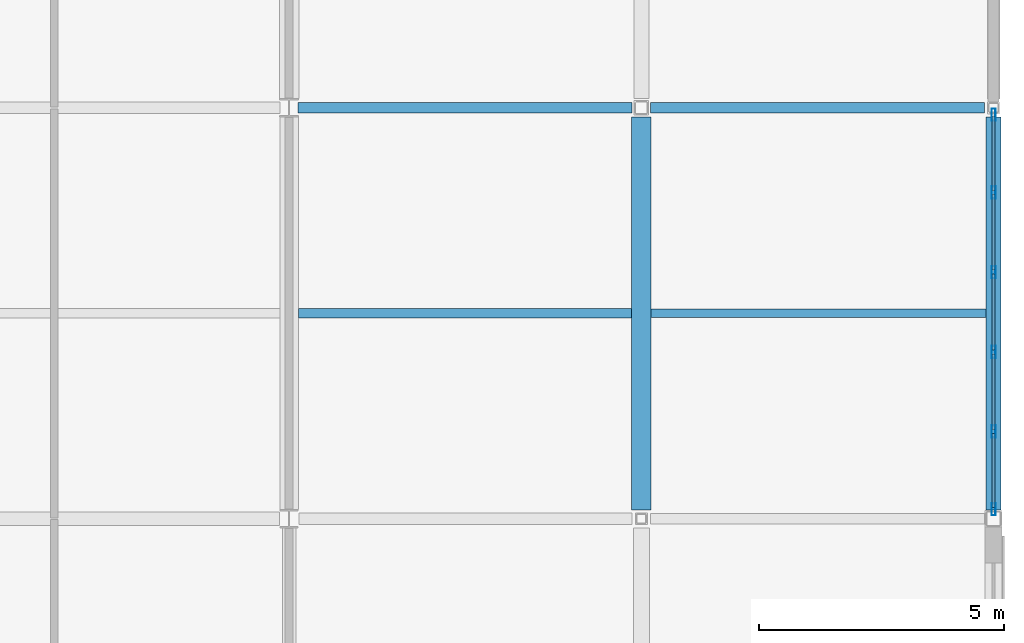
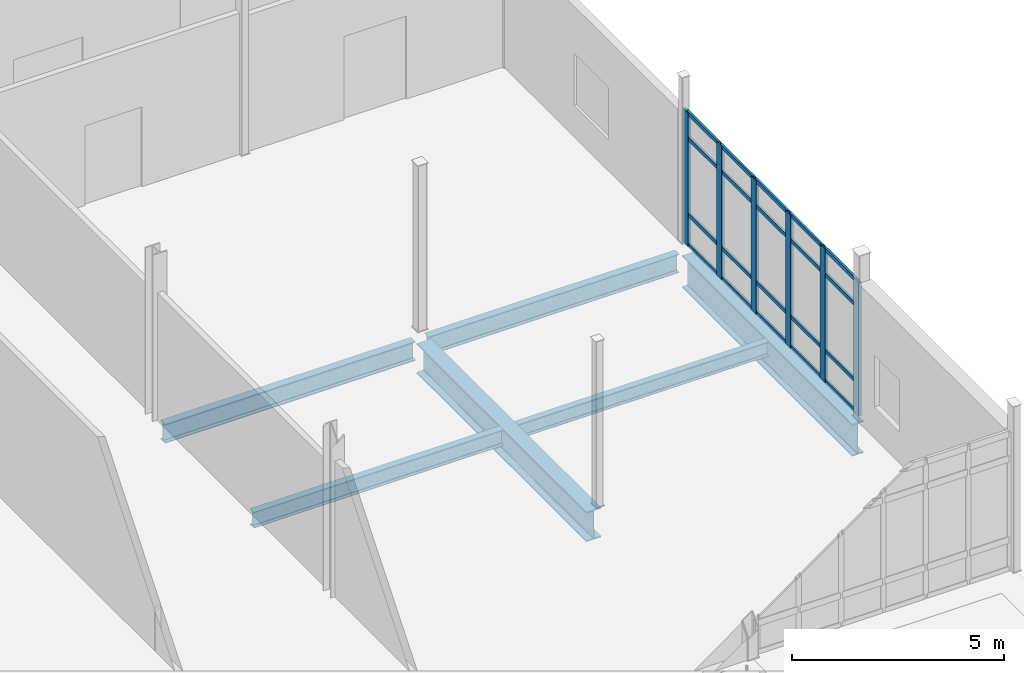
# One storey, part 81 of 153: 26 members, 6 beams, 1 element without a shape of its own.
"""IFC4 building model written with IfcOpenShell, lengths in metres."""

from ifc_helpers import new_model, si_unit, direction, frame, origin, origin_2d, place, context, subcontext, project, spatial, hollow_rectangle, i_section, extrude, material, layer, layer_set, material_profile, profile_set, type_object, element, aggregate, save


model = new_model("IFC4")

# Units and contexts
model_context = context("Model", 3, precision=1e-05, world=origin(), true_north=direction((0.0, 1.0)))
body_context = subcontext(model_context, "Body", "Model", "MODEL_VIEW")
ifc_project = project(units=[si_unit("LENGTHUNIT", "METRE"), si_unit("AREAUNIT", "SQUARE_METRE"), si_unit("VOLUMEUNIT", "CUBIC_METRE"), si_unit("PLANEANGLEUNIT", "RADIAN"), si_unit("MASSUNIT", "GRAM", prefix="KILO")], contexts=[model_context])

# Site, building, storey
site_placement = place(None, origin())
site = spatial("IfcSite", under=ifc_project, at=site_placement, CompositionType="ELEMENT")
building_placement = place(site_placement, origin())
building = spatial("IfcBuilding", under=site, at=building_placement, Name="Calvrana Isthmian Art Gallery", CompositionType="ELEMENT")
storey_placement = place(building_placement, frame((0.0, 0.0, 10.199951171875)))
storey = spatial("IfcBuildingStorey", under=building, at=storey_placement, Name="L02", CompositionType="ELEMENT", Elevation=10.199951171875)

# Beams
ifc_material_1 = material(Name="Steel ASTM A992 Gr 50", Category="steel")
ifc_material_profile_1 = material_profile(ifc_material_1, i_section(OverallWidth=0.208984375, OverallDepth=0.532958984375, WebThickness=0.01025390625, FlangeThickness=0.015625, FilletRadius=0.02099609375, at=origin_2d()), Name="W21X62")
ifc_profile_set_1 = profile_set([ifc_material_profile_1], Name="Steel ASTM A992 Gr 50")
beam_type_1 = type_object("IfcBeamType", Name="BM-G-W21X62", PredefinedType="BEAM", material=ifc_profile_set_1)
beam_1_placement = place(storey_placement, frame((148.986572265625, 30.0, -0.531494140625), z_axis=(1.0, 0.0, 0.0), x_axis=(0.0, 1.0, 0.0)))
element("IfcBeam", 1, at=beam_1_placement, inside=storey, type_object=beam_type_1, Name="Girder X L02 20-21/E", PredefinedType="BEAM", context=body_context, shape_type="SweptSolid", body=[
    extrude(i_section(OverallWidth=0.208984375, OverallDepth=0.532958984375, WebThickness=0.01025390625, FlangeThickness=0.015625, FilletRadius=0.02099609375, at=origin_2d()), origin(), (0.0, 0.0, 1.0), 6.826904296875),
])
ifc_material_profile_2 = material_profile(ifc_material_1, i_section(OverallWidth=0.214111328125, OverallDepth=0.549072265625, WebThickness=0.0146484375, FlangeThickness=0.023681640625, FilletRadius=0.02099609375, at=origin_2d()), Name="W21X93")
ifc_profile_set_2 = profile_set([ifc_material_profile_2], Name="Steel ASTM A992 Gr 50")
beam_type_2 = type_object("IfcBeamType", Name="BM-G-W21X93", PredefinedType="BEAM", material=ifc_profile_set_2)
beam_2_placement = place(storey_placement, frame((141.78662109375, 30.0, -0.53955078125), z_axis=(1.0, 0.0, 0.0), x_axis=(0.0, 1.0, 0.0)))
element("IfcBeam", 2, at=beam_2_placement, inside=storey, type_object=beam_type_2, Name="Girder X L02 19-20/E", PredefinedType="BEAM", context=body_context, shape_type="SweptSolid", body=[
    extrude(i_section(OverallWidth=0.214111328125, OverallDepth=0.549072265625, WebThickness=0.0146484375, FlangeThickness=0.023681640625, FilletRadius=0.02099609375, at=origin_2d()), origin(), (0.0, 0.0, 1.0), 6.826904296875),
])
ifc_material_profile_3 = material_profile(ifc_material_1, i_section(OverallWidth=0.40087890625, OverallDepth=0.85595703125, WebThickness=0.018310546875, FlangeThickness=0.029296875, FilletRadius=0.02587890625, at=origin_2d()), Name="W33X201")
ifc_profile_set_3 = profile_set([ifc_material_profile_3], Name="Steel ASTM A992 Gr 50")
beam_type_3 = type_object("IfcBeamType", Name="BM-G-W33X201", PredefinedType="BEAM", material=ifc_profile_set_3)
beam_3_placement = place(storey_placement, frame((148.800048828125, 21.783935546875, -0.69287109375), z_axis=(0.0, 1.0, 0.0), x_axis=(-1.0, 0.0, 0.0)))
element("IfcBeam", 3, at=beam_3_placement, inside=storey, type_object=beam_type_3, Name="Girder Y L02 20/D-E", PredefinedType="BEAM", context=body_context, shape_type="SweptSolid", body=[
    extrude(i_section(OverallWidth=0.40087890625, OverallDepth=0.85595703125, WebThickness=0.018310546875, FlangeThickness=0.029296875, FilletRadius=0.02587890625, at=origin_2d()), origin(), (0.0, 0.0, 1.0), 8.029541015625),
])
ifc_material_profile_4 = material_profile(ifc_material_1, i_section(OverallWidth=0.306884765625, OverallDepth=0.927001953125, WebThickness=0.019287109375, FlangeThickness=0.031982421875, FilletRadius=0.028076171875, at=origin_2d()), Name="W36X194")
ifc_profile_set_4 = profile_set([ifc_material_profile_4], Name="Steel ASTM A992 Gr 50")
beam_type_4 = type_object("IfcBeamType", Name="BM-G-W36X194", PredefinedType="BEAM", material=ifc_profile_set_4)
beam_4_placement = place(storey_placement, frame((156.0, 21.781494140625, -0.728515625), z_axis=(0.0, 1.0, 0.0), x_axis=(-1.0, 0.0, 0.0)))
element("IfcBeam", 4, at=beam_4_placement, inside=storey, type_object=beam_type_4, Name="Girder Y L02 21/D-E", PredefinedType="BEAM", context=body_context, shape_type="SweptSolid", body=[
    extrude(i_section(OverallWidth=0.306884765625, OverallDepth=0.927001953125, WebThickness=0.019287109375, FlangeThickness=0.031982421875, FilletRadius=0.028076171875, at=origin_2d()), origin(), (0.0, 0.0, 1.0), 8.034423828125),
])
ifc_material_profile_5 = material_profile(ifc_material_1, i_section(OverallWidth=0.179931640625, OverallDepth=0.4140625, WebThickness=0.009765625, FlangeThickness=0.01611328125, FilletRadius=0.01806640625, at=origin_2d()), Name="W16X50")
ifc_profile_set_5 = profile_set([ifc_material_profile_5], Name="Steel ASTM A992 Gr 50")
beam_type_5 = type_object("IfcBeamType", Name="BM-J-W16X50", PredefinedType="JOIST", material=ifc_profile_set_5)
beam_5_placement = place(storey_placement, frame((149.00048828125, 25.800048828125, -0.471923828125), z_axis=(1.0, 0.0, 0.0), x_axis=(0.0, 1.0, 0.0)))
element("IfcBeam", 5, at=beam_5_placement, inside=storey, type_object=beam_type_5, Name="Composite joist L02 bay 19-03", PredefinedType="JOIST", context=body_context, shape_type="SweptSolid", body=[
    extrude(i_section(OverallWidth=0.179931640625, OverallDepth=0.4140625, WebThickness=0.009765625, FlangeThickness=0.01611328125, FilletRadius=0.01806640625, at=origin_2d()), origin(), (0.0, 0.0, 1.0), 6.845947265625),
])
ifc_material_profile_6 = material_profile(ifc_material_1, i_section(OverallWidth=0.19091796875, OverallDepth=0.45703125, WebThickness=0.009033203125, FlangeThickness=0.014404296875, FilletRadius=0.02001953125, at=origin_2d()), Name="W18X50")
ifc_profile_set_6 = profile_set([ifc_material_profile_6], Name="Steel ASTM A992 Gr 50")
beam_type_6 = type_object("IfcBeamType", Name="BM-J-W18X50", PredefinedType="JOIST", material=ifc_profile_set_6)
beam_6_placement = place(storey_placement, frame((141.79052734375, 25.800048828125, -0.493408203125), z_axis=(1.0, 0.0, 0.0), x_axis=(0.0, 1.0, 0.0)))
element("IfcBeam", 6, at=beam_6_placement, inside=storey, type_object=beam_type_6, Name="Composite joist L02 bay 18-03", PredefinedType="JOIST", context=body_context, shape_type="SweptSolid", body=[
    extrude(i_section(OverallWidth=0.19091796875, OverallDepth=0.45703125, WebThickness=0.009033203125, FlangeThickness=0.014404296875, FilletRadius=0.02001953125, at=origin_2d()), origin(), (0.0, 0.0, 1.0), 6.80908203125),
])

# Curtain wall, members
ifc_material_2 = material(Name="Anodized bronze aluminium 6063-T6", Category="aluminium")
ifc_layer = layer(ifc_material_2, 0.179931640625, Name="Anodized bronze aluminium 6063-T6")
ifc_layer_set = layer_set([ifc_layer], Name="Anodized bronze aluminium 6063-T6")
curtain_wall_type = type_object("IfcCurtainWallType", Name="CW-STICK-081X38", PredefinedType="NOTDEFINED", material=ifc_layer_set)
curtain_wall_placement = place(storey_placement, origin())
curtain_wall = element("IfcCurtainWall", 7, at=curtain_wall_placement, inside=storey, type_object=curtain_wall_type, Name="Curtain wall CW-185", PredefinedType="NOTDEFINED")
ifc_material_profile_7 = material_profile(ifc_material_2, hollow_rectangle(XDim=0.080078125, YDim=0.25, WallThickness=0.005615234375, at=origin_2d()), Name="CWM80X250")
ifc_profile_set_7 = profile_set([ifc_material_profile_7], Name="Anodized bronze aluminium 6063-T6")
member_type_1 = type_object("IfcMemberType", Name="CWM-CWM80X250", PredefinedType="MULLION", material=ifc_profile_set_7)
member_1_placement = place(storey_placement, frame((156.0, 29.8583984375, 0.0), z_axis=(0.0, 0.0, 1.0), x_axis=(1.0, 0.0, 0.0)))
member_1 = element("IfcMember", 8, at=member_1_placement, type_object=member_type_1, Name="CW-185 mullion 1", PredefinedType="MULLION", context=body_context, shape_type="SweptSolid", body=[
    extrude(hollow_rectangle(XDim=0.080078125, YDim=0.25, WallThickness=0.005615234375, at=origin_2d()), origin(), (0.0, 0.0, 1.0), 3.84716796875),
])
member_2_placement = place(storey_placement, frame((156.0, 28.269287109375, 0.0), z_axis=(0.0, 0.0, 1.0), x_axis=(1.0, 0.0, 0.0)))
member_2 = element("IfcMember", 9, at=member_2_placement, type_object=member_type_1, Name="CW-185 mullion 2", PredefinedType="MULLION", context=body_context, shape_type="SweptSolid", body=[
    extrude(hollow_rectangle(XDim=0.080078125, YDim=0.25, WallThickness=0.005615234375, at=origin_2d()), origin(), (0.0, 0.0, 1.0), 3.84716796875),
])
member_3_placement = place(storey_placement, frame((156.0, 26.639892578125, 0.0), z_axis=(0.0, 0.0, 1.0), x_axis=(1.0, 0.0, 0.0)))
member_3 = element("IfcMember", 10, at=member_3_placement, type_object=member_type_1, Name="CW-185 mullion 3", PredefinedType="MULLION", context=body_context, shape_type="SweptSolid", body=[
    extrude(hollow_rectangle(XDim=0.080078125, YDim=0.25, WallThickness=0.005615234375, at=origin_2d()), origin(), (0.0, 0.0, 1.0), 3.84716796875),
])
member_4_placement = place(storey_placement, frame((156.0, 25.0107421875, 0.0), z_axis=(0.0, 0.0, 1.0), x_axis=(1.0, 0.0, 0.0)))
member_4 = element("IfcMember", 11, at=member_4_placement, type_object=member_type_1, Name="CW-185 mullion 4", PredefinedType="MULLION", context=body_context, shape_type="SweptSolid", body=[
    extrude(hollow_rectangle(XDim=0.080078125, YDim=0.25, WallThickness=0.005615234375, at=origin_2d()), origin(), (0.0, 0.0, 1.0), 3.84716796875),
])
member_5_placement = place(storey_placement, frame((156.0, 23.381591796875, 0.0), z_axis=(0.0, 0.0, 1.0), x_axis=(1.0, 0.0, 0.0)))
member_5 = element("IfcMember", 12, at=member_5_placement, type_object=member_type_1, Name="CW-185 mullion 5", PredefinedType="MULLION", context=body_context, shape_type="SweptSolid", body=[
    extrude(hollow_rectangle(XDim=0.080078125, YDim=0.25, WallThickness=0.005615234375, at=origin_2d()), origin(), (0.0, 0.0, 1.0), 3.84716796875),
])
member_6_placement = place(storey_placement, frame((156.0, 21.79248046875, 0.0), z_axis=(0.0, 0.0, 1.0), x_axis=(1.0, 0.0, 0.0)))
member_6 = element("IfcMember", 13, at=member_6_placement, type_object=member_type_1, Name="CW-185 mullion 6", PredefinedType="MULLION", context=body_context, shape_type="SweptSolid", body=[
    extrude(hollow_rectangle(XDim=0.080078125, YDim=0.25, WallThickness=0.005615234375, at=origin_2d()), origin(), (0.0, 0.0, 1.0), 3.84716796875),
])
ifc_material_profile_8 = material_profile(ifc_material_2, hollow_rectangle(XDim=0.06005859375, YDim=0.110107421875, WallThickness=0.00341796875, at=origin_2d()), Name="CWT60X110")
ifc_profile_set_8 = profile_set([ifc_material_profile_8], Name="Anodized bronze aluminium 6063-T6")
member_type_2 = type_object("IfcMemberType", Name="CWT-CWT60X110", PredefinedType="USERDEFINED", material=ifc_profile_set_8)
member_7_placement = place(storey_placement, frame((156.0, 29.818359375, 0.030029296875), z_axis=(0.0, -1.0, 0.0), x_axis=(1.0, 0.0, 0.0)))
member_7 = element("IfcMember", 14, at=member_7_placement, type_object=member_type_2, Name="CW-185 transom 1.1", ObjectType="TRANSOM", PredefinedType="USERDEFINED", context=body_context, shape_type="SweptSolid", body=[
    extrude(hollow_rectangle(XDim=0.06005859375, YDim=0.110107421875, WallThickness=0.00341796875, at=origin_2d()), origin(), (0.0, 0.0, 1.0), 1.50927734375),
])
member_8_placement = place(storey_placement, frame((156.0, 29.818359375, 0.900146484375), z_axis=(0.0, -1.0, 0.0), x_axis=(1.0, 0.0, 0.0)))
member_8 = element("IfcMember", 15, at=member_8_placement, type_object=member_type_2, Name="CW-185 transom 1.2", ObjectType="TRANSOM", PredefinedType="USERDEFINED", context=body_context, shape_type="SweptSolid", body=[
    extrude(hollow_rectangle(XDim=0.06005859375, YDim=0.110107421875, WallThickness=0.00341796875, at=origin_2d()), origin(), (0.0, 0.0, 1.0), 1.50927734375),
])
member_9_placement = place(storey_placement, frame((156.0, 29.818359375, 3.09716796875), z_axis=(0.0, -1.0, 0.0), x_axis=(1.0, 0.0, 0.0)))
member_9 = element("IfcMember", 16, at=member_9_placement, type_object=member_type_2, Name="CW-185 transom 1.3", ObjectType="TRANSOM", PredefinedType="USERDEFINED", context=body_context, shape_type="SweptSolid", body=[
    extrude(hollow_rectangle(XDim=0.06005859375, YDim=0.110107421875, WallThickness=0.00341796875, at=origin_2d()), origin(), (0.0, 0.0, 1.0), 1.50927734375),
])
member_10_placement = place(storey_placement, frame((156.0, 29.818359375, 3.817138671875), z_axis=(0.0, -1.0, 0.0), x_axis=(1.0, 0.0, 0.0)))
member_10 = element("IfcMember", 17, at=member_10_placement, type_object=member_type_2, Name="CW-185 transom 1.4", ObjectType="TRANSOM", PredefinedType="USERDEFINED", context=body_context, shape_type="SweptSolid", body=[
    extrude(hollow_rectangle(XDim=0.06005859375, YDim=0.110107421875, WallThickness=0.00341796875, at=origin_2d()), origin(), (0.0, 0.0, 1.0), 1.50927734375),
])
member_11_placement = place(storey_placement, frame((156.0, 28.229248046875, 0.030029296875), z_axis=(0.0, -1.0, 0.0), x_axis=(1.0, 0.0, 0.0)))
member_11 = element("IfcMember", 18, at=member_11_placement, type_object=member_type_2, Name="CW-185 transom 2.1", ObjectType="TRANSOM", PredefinedType="USERDEFINED", context=body_context, shape_type="SweptSolid", body=[
    extrude(hollow_rectangle(XDim=0.06005859375, YDim=0.110107421875, WallThickness=0.00341796875, at=origin_2d()), origin(), (0.0, 0.0, 1.0), 1.54931640625),
])
member_12_placement = place(storey_placement, frame((156.0, 28.229248046875, 0.900146484375), z_axis=(0.0, -1.0, 0.0), x_axis=(1.0, 0.0, 0.0)))
member_12 = element("IfcMember", 19, at=member_12_placement, type_object=member_type_2, Name="CW-185 transom 2.2", ObjectType="TRANSOM", PredefinedType="USERDEFINED", context=body_context, shape_type="SweptSolid", body=[
    extrude(hollow_rectangle(XDim=0.06005859375, YDim=0.110107421875, WallThickness=0.00341796875, at=origin_2d()), origin(), (0.0, 0.0, 1.0), 1.54931640625),
])
member_13_placement = place(storey_placement, frame((156.0, 28.229248046875, 3.09716796875), z_axis=(0.0, -1.0, 0.0), x_axis=(1.0, 0.0, 0.0)))
member_13 = element("IfcMember", 20, at=member_13_placement, type_object=member_type_2, Name="CW-185 transom 2.3", ObjectType="TRANSOM", PredefinedType="USERDEFINED", context=body_context, shape_type="SweptSolid", body=[
    extrude(hollow_rectangle(XDim=0.06005859375, YDim=0.110107421875, WallThickness=0.00341796875, at=origin_2d()), origin(), (0.0, 0.0, 1.0), 1.54931640625),
])
member_14_placement = place(storey_placement, frame((156.0, 28.229248046875, 3.817138671875), z_axis=(0.0, -1.0, 0.0), x_axis=(1.0, 0.0, 0.0)))
member_14 = element("IfcMember", 21, at=member_14_placement, type_object=member_type_2, Name="CW-185 transom 2.4", ObjectType="TRANSOM", PredefinedType="USERDEFINED", context=body_context, shape_type="SweptSolid", body=[
    extrude(hollow_rectangle(XDim=0.06005859375, YDim=0.110107421875, WallThickness=0.00341796875, at=origin_2d()), origin(), (0.0, 0.0, 1.0), 1.54931640625),
])
member_15_placement = place(storey_placement, frame((156.0, 26.60009765625, 0.030029296875), z_axis=(0.0, -1.0, 0.0), x_axis=(1.0, 0.0, 0.0)))
member_15 = element("IfcMember", 22, at=member_15_placement, type_object=member_type_2, Name="CW-185 transom 3.1", ObjectType="TRANSOM", PredefinedType="USERDEFINED", context=body_context, shape_type="SweptSolid", body=[
    extrude(hollow_rectangle(XDim=0.06005859375, YDim=0.110107421875, WallThickness=0.00341796875, at=origin_2d()), origin(), (0.0, 0.0, 1.0), 1.54931640625),
])
member_16_placement = place(storey_placement, frame((156.0, 26.60009765625, 0.900146484375), z_axis=(0.0, -1.0, 0.0), x_axis=(1.0, 0.0, 0.0)))
member_16 = element("IfcMember", 23, at=member_16_placement, type_object=member_type_2, Name="CW-185 transom 3.2", ObjectType="TRANSOM", PredefinedType="USERDEFINED", context=body_context, shape_type="SweptSolid", body=[
    extrude(hollow_rectangle(XDim=0.06005859375, YDim=0.110107421875, WallThickness=0.00341796875, at=origin_2d()), origin(), (0.0, 0.0, 1.0), 1.54931640625),
])
member_17_placement = place(storey_placement, frame((156.0, 26.60009765625, 3.09716796875), z_axis=(0.0, -1.0, 0.0), x_axis=(1.0, 0.0, 0.0)))
member_17 = element("IfcMember", 24, at=member_17_placement, type_object=member_type_2, Name="CW-185 transom 3.3", ObjectType="TRANSOM", PredefinedType="USERDEFINED", context=body_context, shape_type="SweptSolid", body=[
    extrude(hollow_rectangle(XDim=0.06005859375, YDim=0.110107421875, WallThickness=0.00341796875, at=origin_2d()), origin(), (0.0, 0.0, 1.0), 1.54931640625),
])
member_18_placement = place(storey_placement, frame((156.0, 26.60009765625, 3.817138671875), z_axis=(0.0, -1.0, 0.0), x_axis=(1.0, 0.0, 0.0)))
member_18 = element("IfcMember", 25, at=member_18_placement, type_object=member_type_2, Name="CW-185 transom 3.4", ObjectType="TRANSOM", PredefinedType="USERDEFINED", context=body_context, shape_type="SweptSolid", body=[
    extrude(hollow_rectangle(XDim=0.06005859375, YDim=0.110107421875, WallThickness=0.00341796875, at=origin_2d()), origin(), (0.0, 0.0, 1.0), 1.54931640625),
])
member_19_placement = place(storey_placement, frame((156.0, 24.970703125, 0.030029296875), z_axis=(0.0, -1.0, 0.0), x_axis=(1.0, 0.0, 0.0)))
member_19 = element("IfcMember", 26, at=member_19_placement, type_object=member_type_2, Name="CW-185 transom 4.1", ObjectType="TRANSOM", PredefinedType="USERDEFINED", context=body_context, shape_type="SweptSolid", body=[
    extrude(hollow_rectangle(XDim=0.06005859375, YDim=0.110107421875, WallThickness=0.00341796875, at=origin_2d()), origin(), (0.0, 0.0, 1.0), 1.549072265625),
])
member_20_placement = place(storey_placement, frame((156.0, 24.970703125, 0.900146484375), z_axis=(0.0, -1.0, 0.0), x_axis=(1.0, 0.0, 0.0)))
member_20 = element("IfcMember", 27, at=member_20_placement, type_object=member_type_2, Name="CW-185 transom 4.2", ObjectType="TRANSOM", PredefinedType="USERDEFINED", context=body_context, shape_type="SweptSolid", body=[
    extrude(hollow_rectangle(XDim=0.06005859375, YDim=0.110107421875, WallThickness=0.00341796875, at=origin_2d()), origin(), (0.0, 0.0, 1.0), 1.549072265625),
])
member_21_placement = place(storey_placement, frame((156.0, 24.970703125, 3.09716796875), z_axis=(0.0, -1.0, 0.0), x_axis=(1.0, 0.0, 0.0)))
member_21 = element("IfcMember", 28, at=member_21_placement, type_object=member_type_2, Name="CW-185 transom 4.3", ObjectType="TRANSOM", PredefinedType="USERDEFINED", context=body_context, shape_type="SweptSolid", body=[
    extrude(hollow_rectangle(XDim=0.06005859375, YDim=0.110107421875, WallThickness=0.00341796875, at=origin_2d()), origin(), (0.0, 0.0, 1.0), 1.549072265625),
])
member_22_placement = place(storey_placement, frame((156.0, 24.970703125, 3.817138671875), z_axis=(0.0, -1.0, 0.0), x_axis=(1.0, 0.0, 0.0)))
member_22 = element("IfcMember", 29, at=member_22_placement, type_object=member_type_2, Name="CW-185 transom 4.4", ObjectType="TRANSOM", PredefinedType="USERDEFINED", context=body_context, shape_type="SweptSolid", body=[
    extrude(hollow_rectangle(XDim=0.06005859375, YDim=0.110107421875, WallThickness=0.00341796875, at=origin_2d()), origin(), (0.0, 0.0, 1.0), 1.549072265625),
])
member_23_placement = place(storey_placement, frame((156.0, 23.341552734375, 0.030029296875), z_axis=(0.0, -1.0, 0.0), x_axis=(1.0, 0.0, 0.0)))
member_23 = element("IfcMember", 30, at=member_23_placement, type_object=member_type_2, Name="CW-185 transom 5.1", ObjectType="TRANSOM", PredefinedType="USERDEFINED", context=body_context, shape_type="SweptSolid", body=[
    extrude(hollow_rectangle(XDim=0.06005859375, YDim=0.110107421875, WallThickness=0.00341796875, at=origin_2d()), origin(), (0.0, 0.0, 1.0), 1.509033203125),
])
member_24_placement = place(storey_placement, frame((156.0, 23.341552734375, 0.900146484375), z_axis=(0.0, -1.0, 0.0), x_axis=(1.0, 0.0, 0.0)))
member_24 = element("IfcMember", 31, at=member_24_placement, type_object=member_type_2, Name="CW-185 transom 5.2", ObjectType="TRANSOM", PredefinedType="USERDEFINED", context=body_context, shape_type="SweptSolid", body=[
    extrude(hollow_rectangle(XDim=0.06005859375, YDim=0.110107421875, WallThickness=0.00341796875, at=origin_2d()), origin(), (0.0, 0.0, 1.0), 1.509033203125),
])
member_25_placement = place(storey_placement, frame((156.0, 23.341552734375, 3.09716796875), z_axis=(0.0, -1.0, 0.0), x_axis=(1.0, 0.0, 0.0)))
member_25 = element("IfcMember", 32, at=member_25_placement, type_object=member_type_2, Name="CW-185 transom 5.3", ObjectType="TRANSOM", PredefinedType="USERDEFINED", context=body_context, shape_type="SweptSolid", body=[
    extrude(hollow_rectangle(XDim=0.06005859375, YDim=0.110107421875, WallThickness=0.00341796875, at=origin_2d()), origin(), (0.0, 0.0, 1.0), 1.509033203125),
])
member_26_placement = place(storey_placement, frame((156.0, 23.341552734375, 3.817138671875), z_axis=(0.0, -1.0, 0.0), x_axis=(1.0, 0.0, 0.0)))
member_26 = element("IfcMember", 33, at=member_26_placement, type_object=member_type_2, Name="CW-185 transom 5.4", ObjectType="TRANSOM", PredefinedType="USERDEFINED", context=body_context, shape_type="SweptSolid", body=[
    extrude(hollow_rectangle(XDim=0.06005859375, YDim=0.110107421875, WallThickness=0.00341796875, at=origin_2d()), origin(), (0.0, 0.0, 1.0), 1.509033203125),
])
aggregate(curtain_wall, [member_1, member_2, member_3, member_4, member_5, member_6, member_7, member_8, member_9, member_10, member_11, member_12, member_13, member_14, member_15, member_16, member_17, member_18, member_19, member_20, member_21, member_22, member_23, member_24, member_25, member_26])

save(model, "model.ifc")
